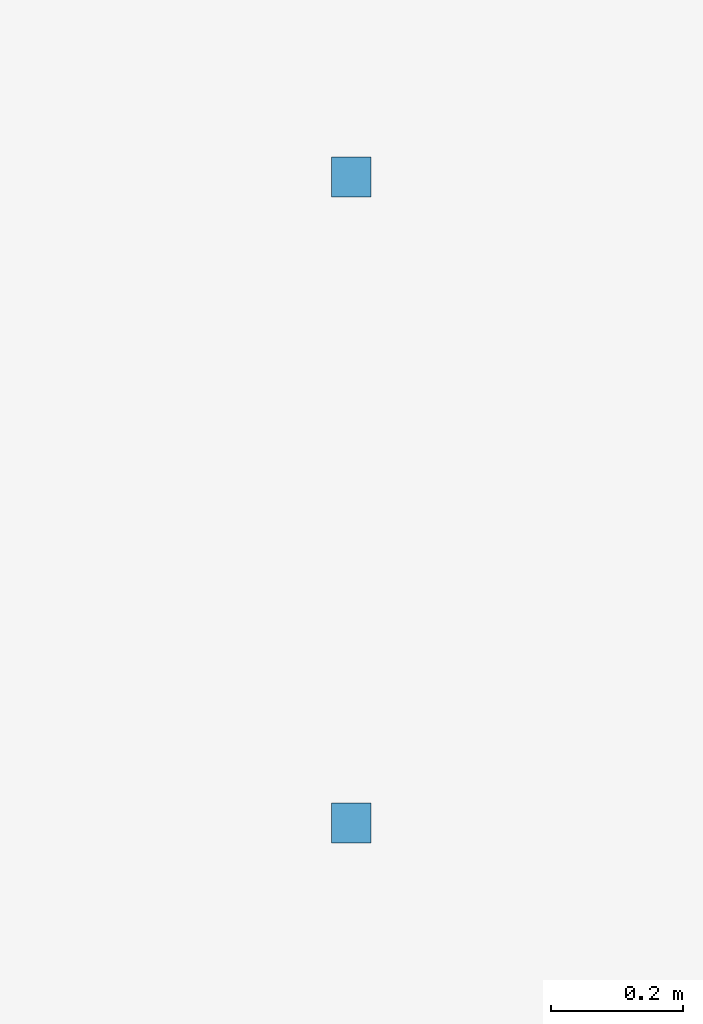
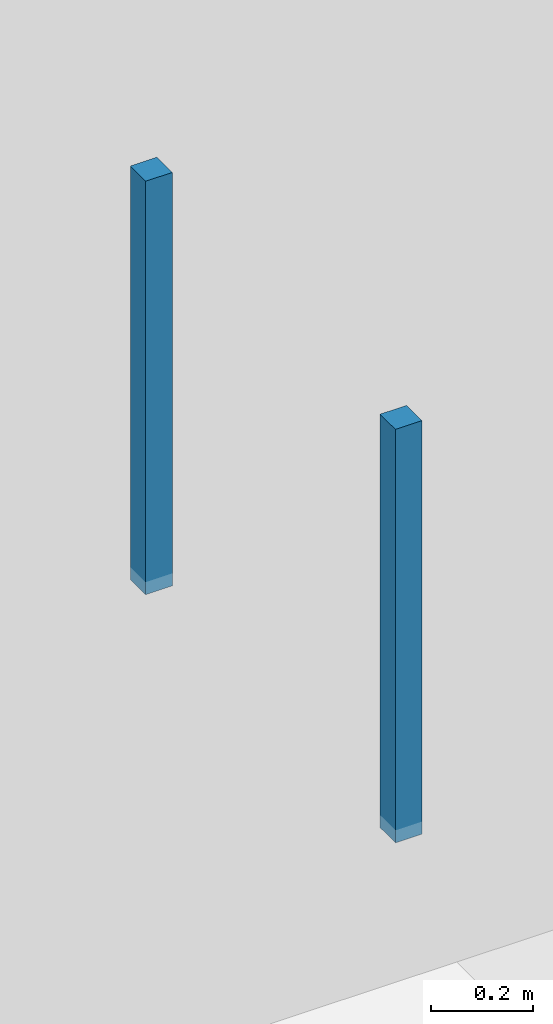
# One storey, part 4 of 11: 2 discrete accessories.
"""IFC4 building model written with IfcOpenShell, lengths in metres."""

from ifc_helpers import new_model, si_unit, direction, frame, origin, origin_2d, place, context, subcontext, project, spatial, rectangle, extrude, material, type_object, element, save


model = new_model("IFC4")

# Units and contexts
model_context = context("Model", 3, precision=1e-05, world=origin(), true_north=direction((0.0, 1.0)))
body_context = subcontext(model_context, "Body", "Model", "MODEL_VIEW")
ifc_project = project(units=[si_unit("LENGTHUNIT", "METRE"), si_unit("AREAUNIT", "SQUARE_METRE"), si_unit("VOLUMEUNIT", "CUBIC_METRE"), si_unit("PLANEANGLEUNIT", "RADIAN"), si_unit("MASSUNIT", "GRAM", prefix="KILO")], contexts=[model_context])

# Site, building, storey
site_placement = place(None, origin())
site = spatial("IfcSite", under=ifc_project, at=site_placement, CompositionType="ELEMENT")
building_placement = place(site_placement, origin())
building = spatial("IfcBuilding", under=site, at=building_placement, Name="Telukmera Botanical Conservatory", CompositionType="ELEMENT")
storey_placement = place(building_placement, frame((0.0, 0.0, 73.5)))
storey = spatial("IfcBuildingStorey", under=building, at=storey_placement, Name="L16", CompositionType="ELEMENT", Elevation=73.5)

# Discrete accessories
ifc_material = material(Name="Steel S355", Category="steel")
discrete_accessory_type = type_object("IfcDiscreteAccessoryType", Name="ACC-CEIL-HGR", PredefinedType="BRACKET", material=ifc_material)
for number, where, z_axis, x_axis, name in (
    (1, (94.233642578125, 11.375, 3.31982421875), (0.0, 0.0, 1.0), (1.0, 0.0, 0.0), "L16 Suspended Ceiling Hanger Rod 027-1"),
    (2, (94.233642578125, 12.35009765625, 3.31982421875), (0.0, 0.0, 1.0), (1.0, 0.0, 0.0), "L16 Suspended Ceiling Hanger Rod 027-2"),
):
    element("IfcDiscreteAccessory", number, at=place(storey_placement, frame(where, z_axis=z_axis, x_axis=x_axis)), inside=storey, type_object=discrete_accessory_type, Name=name, PredefinedType="BRACKET", context=body_context, shape_type="SweptSolid", body=[
        extrude(rectangle(XDim=0.06005859375, YDim=0.06005859375, at=origin_2d()), origin(), (0.0, 0.0, 1.0), 0.985107421875),
    ])

save(model, "model.ifc")
